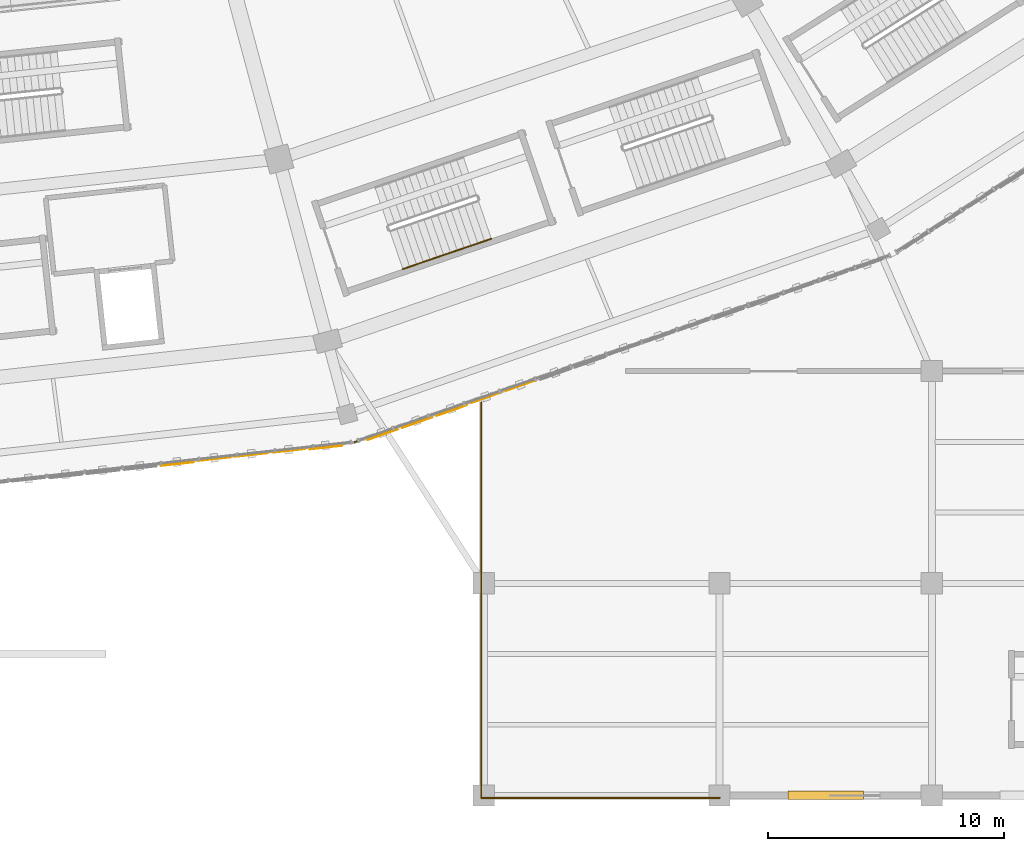
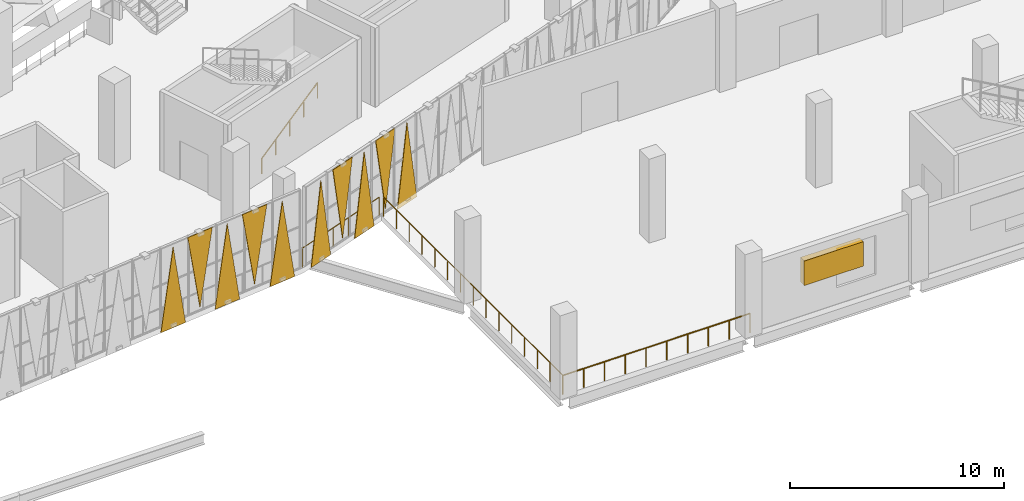
# One storey, part 143 of 183: 10 coverings, 4 railings, 1 shading device.
"""IFC4 building model written with IfcOpenShell, lengths in metres."""

from ifc_helpers import new_model, si_unit, direction, frame, origin, origin_2d, place, context, subcontext, project, spatial, polyline, rectangle, circle, outline, extrude, material, layer, layer_set, type_object, element, save


model = new_model("IFC4")

# Units and contexts
model_context = context("Model", 3, precision=1e-05, world=origin(), true_north=direction((0.0, 1.0)))
body_context = subcontext(model_context, "Body", "Model", "MODEL_VIEW")
ifc_project = project(units=[si_unit("LENGTHUNIT", "METRE"), si_unit("AREAUNIT", "SQUARE_METRE"), si_unit("VOLUMEUNIT", "CUBIC_METRE"), si_unit("PLANEANGLEUNIT", "RADIAN"), si_unit("MASSUNIT", "GRAM", prefix="KILO")], contexts=[model_context])

# Site, building, storey
site_placement = place(None, origin())
site = spatial("IfcSite", under=ifc_project, at=site_placement, CompositionType="ELEMENT")
building_placement = place(site_placement, origin())
building = spatial("IfcBuilding", under=site, at=building_placement, Name="Zevraka Park Crest Stadium", CompositionType="ELEMENT")
storey_placement = place(building_placement, frame((0.0, 0.0, 5.39990234375)))
storey = spatial("IfcBuildingStorey", under=building, at=storey_placement, Name="L01", CompositionType="ELEMENT", Elevation=5.39990234375)

# Coverings
ifc_material_1 = material(Name="Architectural golden-bronze perforated aluminium", Category="aluminium")
ifc_layer_1 = layer(ifc_material_1, 0.034912109375)
ifc_layer_set_1 = layer_set([ifc_layer_1], Name="Architectural golden-bronze perforated aluminium")
covering_type = type_object("IfcCoveringType", Name="CLD01", PredefinedType="CLADDING", material=ifc_layer_set_1)
covering_1_placement = place(storey_placement, frame((128.2880859375, 14.0048828125, -0.260009765625), z_axis=(-0.110281163702, 0.993900425664, 9.3792513e-05), x_axis=(0.993900430036, 0.110281164187, 0.0)))
element("IfcCovering", 1, at=covering_1_placement, inside=storey, type_object=covering_type, Name="Triangular Golden-Bronze Perforated Cladding L01-18-11", PredefinedType="CLADDING", context=body_context, shape_type="SweptSolid", body=[
    extrude(outline(polyline([(0.0, 0.0), (1.42568827286739, -3.3881317890172014e-21), (0.7123049852646407, -4.600097676483612), (0.0, 0.0)])), origin(), (0.0, 0.0, -1.0), 0.034912109375),
])
covering_2_placement = place(storey_placement, frame((131.281005859375, 14.3369140625, 4.5), z_axis=(0.110111997724, -0.993919183185, 7.2484585e-05), x_axis=(-0.993919185796, -0.110111998013, 0.0)))
element("IfcCovering", 2, at=covering_2_placement, inside=storey, type_object=covering_type, Name="Triangular Golden-Bronze Perforated Cladding L01-18-12", PredefinedType="CLADDING", context=body_context, shape_type="SweptSolid", body=[
    extrude(outline(polyline([(0.0, 0.0), (1.4256613694050126, -1.6940658945086007e-21), (0.7133563210229682, 4.279785167493028), (0.0, 0.0)])), origin(), (0.0, 0.0, -1.0), 0.034912109375),
])
covering_3_placement = place(storey_placement, frame((131.43994140625, 14.35400390625, -0.260009765625), z_axis=(0.110111996878, -0.993919175554, 0.000143563419), x_axis=(0.993919185796, 0.110111998013, 0.0)))
element("IfcCovering", 3, at=covering_3_placement, inside=storey, type_object=covering_type, Name="Triangular Golden-Bronze Perforated Cladding L01-18-13", PredefinedType="CLADDING", context=body_context, shape_type="SweptSolid", body=[
    extrude(outline(polyline([(0.0, 0.0), (1.4256613694050126, -3.3881317890172014e-21), (0.712412579630104, 4.600097703655054), (0.0, 0.0)])), origin(), (0.0, 0.0, -1.0), 0.034912109375),
])
covering_4_placement = place(storey_placement, frame((134.43310546875, 14.68603515625, 4.5), z_axis=(0.110111996702, -0.993919173963, 0.000154308153), x_axis=(-0.993919185796, -0.110111998013, 0.0)))
element("IfcCovering", 4, at=covering_4_placement, inside=storey, type_object=covering_type, Name="Triangular Golden-Bronze Perforated Cladding L01-18-14", PredefinedType="CLADDING", context=body_context, shape_type="SweptSolid", body=[
    extrude(outline(polyline([(0.0, 0.0), (1.4256613694050126, -3.3881317890172014e-21), (0.712412579630104, 4.279785207202997), (0.0, 0.0)])), origin(), (0.0, 0.0, -1.0), 0.034912109375),
])
covering_5_placement = place(storey_placement, frame((134.592041015625, 14.7041015625, -0.260009765625), z_axis=(-0.110111996878, 0.993919175554, 0.000143563419), x_axis=(0.993919185796, 0.110111998013, 0.0)))
element("IfcCovering", 5, at=covering_5_placement, inside=storey, type_object=covering_type, Name="Triangular Golden-Bronze Perforated Cladding L01-18-15", PredefinedType="CLADDING", context=body_context, shape_type="SweptSolid", body=[
    extrude(outline(polyline([(0.0, 0.0), (1.4256613694050126, -3.3881317890172014e-21), (0.7132487897749087, -4.600097703655054), (0.0, 0.0)])), origin(), (0.0, 0.0, -1.0), 0.034912109375),
])
covering_6_placement = place(storey_placement, frame((137.035888671875, 15.093017578125, -0.260009765625), z_axis=(-0.329687784051, 0.944090018554, 4.3743735e-05), x_axis=(0.944090019458, 0.329687784367, 0.0)))
element("IfcCovering", 6, at=covering_6_placement, inside=storey, type_object=covering_type, Name="Triangular Golden-Bronze Perforated Cladding L01-19-1", PredefinedType="CLADDING", context=body_context, shape_type="SweptSolid", body=[
    extrude(outline(polyline([(0.0, 0.0), (1.395140976738379, -3.3881317890172014e-21), (0.698146715187706, -4.600097660651176), (0.0, 0.0)])), origin(), (0.0, 0.0, -1.0), 0.034912109375),
])
covering_7_placement = place(storey_placement, frame((139.821044921875, 16.06396484375, 4.5), z_axis=(-0.329063674373, 0.94430772513, 0.000135893381), x_axis=(-0.94430773385, -0.329063677412, 0.0)))
element("IfcCovering", 7, at=covering_7_placement, inside=storey, type_object=covering_type, Name="Triangular Golden-Bronze Perforated Cladding L01-19-2", PredefinedType="CLADDING", context=body_context, shape_type="SweptSolid", body=[
    extrude(outline(polyline([(0.0, 0.0), (1.3948193207160489, -1.3552527156068805e-20), (0.6975948005547897, -4.2797851957674204), (0.0, 0.0)])), origin(), (0.0, 0.0, -1.0), 0.034912109375),
])
covering_8_placement = place(storey_placement, frame((139.971923828125, 16.116943359375, -0.260009765625), z_axis=(-0.329281369478, 0.944231841946, 9.1488324e-05), x_axis=(0.944231845897, 0.329281370856, 0.0)))
element("IfcCovering", 8, at=covering_8_placement, inside=storey, type_object=covering_type, Name="Triangular Golden-Bronze Perforated Cladding L01-19-3", PredefinedType="CLADDING", context=body_context, shape_type="SweptSolid", body=[
    extrude(outline(polyline([(0.0, 0.0), (1.3938971822371224, 0.0), (0.6966725465226966, -4.60009767550167), (0.0, 0.0)])), origin(), (0.0, 0.0, -1.0), 0.034912109375),
])
covering_9_placement = place(storey_placement, frame((142.756103515625, 17.087890625, 4.5), z_axis=(0.329063674373, -0.94430772513, 0.000135893381), x_axis=(-0.94430773385, -0.329063677412, 0.0)))
element("IfcCovering", 9, at=covering_9_placement, inside=storey, type_object=covering_type, Name="Triangular Golden-Bronze Perforated Cladding L01-19-4", PredefinedType="CLADDING", context=body_context, shape_type="SweptSolid", body=[
    extrude(outline(polyline([(0.0, 0.0), (1.3948193207160489, -1.3552527156068805e-20), (0.6972245201612591, 4.2797851957674204), (0.0, 0.0)])), origin(), (0.0, 0.0, -1.0), 0.034912109375),
])
covering_10_placement = place(storey_placement, frame((142.906982421875, 17.139892578125, -0.260009765625), z_axis=(0.329491998785, -0.944158359092, 0.000125273108), x_axis=(0.9441583665, 0.329492001371, 0.0)))
element("IfcCovering", 10, at=covering_10_placement, inside=storey, type_object=covering_type, Name="Triangular Golden-Bronze Perforated Cladding L01-19-5", PredefinedType="CLADDING", context=body_context, shape_type="SweptSolid", body=[
    extrude(outline(polyline([(0.0, 0.0), (1.3937470825233202, 6.776263578034403e-21), (0.6970746472195279, 4.600097692345475), (0.0, 0.0)])), origin(), (0.0, 0.0, -1.0), 0.034912109375),
])

# Railings
ifc_material_2 = material(Name="Galvanised and bronze-finished steel balustrade", Category="steel")
railing_type_1 = type_object("IfcRailingType", Name="GR01", PredefinedType="GUARDRAIL", material=ifc_material_2)
railing_1_placement = place(storey_placement, frame((152.009033203125, -0.10498046875, 0.0)))
element("IfcRailing", 11, at=railing_1_placement, inside=storey, type_object=railing_type_1, Name="Deck Edge Protection Guardrail GR01 L01-30", PredefinedType="GUARDRAIL", context=body_context, shape_type="SweptSolid", body=[
    extrude(circle(Radius=0.02392578125, at=origin_2d()), frame((0.0, 0.0, 1.076171875), z_axis=(-1.0, 0.0, 0.0), x_axis=(0.0, -1.0, 0.0)), (0.0, 0.0, 1.0), 10.114013671875),
    extrude(circle(Radius=0.02099609375, at=origin_2d()), origin(), (0.0, 0.0, 1.0), 1.052001953125),
    extrude(circle(Radius=0.02099609375, at=origin_2d()), frame((-1.123779296875, 0.0, 0.0)), (0.0, 0.0, 1.0), 1.052001953125),
    extrude(circle(Radius=0.02099609375, at=origin_2d()), frame((-2.24755859375, 0.0, 0.0)), (0.0, 0.0, 1.0), 1.052001953125),
    extrude(circle(Radius=0.02099609375, at=origin_2d()), frame((-3.371337890625, 0.0, 0.0)), (0.0, 0.0, 1.0), 1.052001953125),
    extrude(circle(Radius=0.02099609375, at=origin_2d()), frame((-4.4951171875, 0.0, 0.0)), (0.0, 0.0, 1.0), 1.052001953125),
    extrude(circle(Radius=0.02099609375, at=origin_2d()), frame((-5.618896484375, 0.0, 0.0)), (0.0, 0.0, 1.0), 1.052001953125),
    extrude(circle(Radius=0.02099609375, at=origin_2d()), frame((-6.74267578125, 0.0, 0.0)), (0.0, 0.0, 1.0), 1.052001953125),
    extrude(circle(Radius=0.02099609375, at=origin_2d()), frame((-7.866455078125, 0.0, 0.0)), (0.0, 0.0, 1.0), 1.052001953125),
    extrude(circle(Radius=0.02099609375, at=origin_2d()), frame((-8.990234375, 0.0, 0.0)), (0.0, 0.0, 1.0), 1.052001953125),
    extrude(circle(Radius=0.02099609375, at=origin_2d()), frame((-10.114013671875, 0.0, 0.0)), (0.0, 0.0, 1.0), 1.052001953125),
])
railing_2_placement = place(storey_placement, frame((141.89501953125, -0.10498046875, 0.0)))
element("IfcRailing", 12, at=railing_2_placement, inside=storey, type_object=railing_type_1, Name="Deck Edge Protection Guardrail GR01 L01-31", PredefinedType="GUARDRAIL", context=body_context, shape_type="SweptSolid", body=[
    extrude(circle(Radius=0.02392578125, at=origin_2d()), frame((0.0, 0.0, 1.076171875), z_axis=(0.0, 1.0, 0.0), x_axis=(-1.0, 0.0, 0.0)), (0.0, 0.0, 1.0), 16.783935546875),
    extrude(circle(Radius=0.02099609375, at=origin_2d()), origin(), (0.0, 0.0, 1.0), 1.052001953125),
    extrude(circle(Radius=0.02099609375, at=origin_2d()), frame((0.0, 1.19873046875, 0.0)), (0.0, 0.0, 1.0), 1.052001953125),
    extrude(circle(Radius=0.02099609375, at=origin_2d()), frame((0.0, 2.397705078125, 0.0)), (0.0, 0.0, 1.0), 1.052001953125),
    extrude(circle(Radius=0.02099609375, at=origin_2d()), frame((0.0, 3.5966796875, 0.0)), (0.0, 0.0, 1.0), 1.052001953125),
    extrude(circle(Radius=0.02099609375, at=origin_2d()), frame((0.0, 4.79541015625, 0.0)), (0.0, 0.0, 1.0), 1.052001953125),
    extrude(circle(Radius=0.02099609375, at=origin_2d()), frame((0.0, 5.994140625, 0.0)), (0.0, 0.0, 1.0), 1.052001953125),
    extrude(circle(Radius=0.02099609375, at=origin_2d()), frame((0.0, 7.193115234375, 0.0)), (0.0, 0.0, 1.0), 1.052001953125),
    extrude(circle(Radius=0.02099609375, at=origin_2d()), frame((0.0, 8.39208984375, 0.0)), (0.0, 0.0, 1.0), 1.052001953125),
    extrude(circle(Radius=0.02099609375, at=origin_2d()), frame((0.0, 9.5908203125, 0.0)), (0.0, 0.0, 1.0), 1.052001953125),
    extrude(circle(Radius=0.02099609375, at=origin_2d()), frame((0.0, 10.78955078125, 0.0)), (0.0, 0.0, 1.0), 1.052001953125),
    extrude(circle(Radius=0.02099609375, at=origin_2d()), frame((0.0, 11.988525390625, 0.0)), (0.0, 0.0, 1.0), 1.052001953125),
    extrude(circle(Radius=0.02099609375, at=origin_2d()), frame((0.0, 13.1875, 0.0)), (0.0, 0.0, 1.0), 1.052001953125),
    extrude(circle(Radius=0.02099609375, at=origin_2d()), frame((0.0, 14.38623046875, 0.0)), (0.0, 0.0, 1.0), 1.052001953125),
    extrude(circle(Radius=0.02099609375, at=origin_2d()), frame((0.0, 15.5849609375, 0.0)), (0.0, 0.0, 1.0), 1.052001953125),
    extrude(circle(Radius=0.02099609375, at=origin_2d()), frame((0.0, 16.783935546875, 0.0)), (0.0, 0.0, 1.0), 1.052001953125),
])
railing_3_placement = place(storey_placement, frame((141.721923828125, 16.801025390625, 0.0)))
element("IfcRailing", 13, at=railing_3_placement, inside=storey, type_object=railing_type_1, Name="Deck Edge Protection Guardrail GR01 L01-32", PredefinedType="GUARDRAIL", context=body_context, shape_type="SweptSolid", body=[
    extrude(circle(Radius=0.02392578125, at=origin_2d()), frame((0.0, 0.0, 1.076171875), z_axis=(-0.944292136283, -0.329108434037, 0.0), x_axis=(0.329108434037, -0.944292136283, 0.0)), (0.0, 0.0, 1.0), 5.5087890625),
    extrude(circle(Radius=0.02099609375, at=origin_2d()), origin(), (0.0, 0.0, 1.0), 1.052001953125),
    extrude(circle(Radius=0.02099609375, at=origin_2d()), frame((-1.040283203125, -0.362548828125, 0.0)), (0.0, 0.0, 1.0), 1.052001953125),
    extrude(circle(Radius=0.02099609375, at=origin_2d()), frame((-2.080810546875, -0.72509765625, 0.0)), (0.0, 0.0, 1.0), 1.052001953125),
    extrude(circle(Radius=0.02099609375, at=origin_2d()), frame((-3.12109375, -1.087890625, 0.0)), (0.0, 0.0, 1.0), 1.052001953125),
    extrude(circle(Radius=0.02099609375, at=origin_2d()), frame((-4.16162109375, -1.450439453125, 0.0)), (0.0, 0.0, 1.0), 1.052001953125),
    extrude(circle(Radius=0.02099609375, at=origin_2d()), frame((-5.201904296875, -1.81298828125, 0.0)), (0.0, 0.0, 1.0), 1.052001953125),
])
ifc_material_3 = material(Name="Brushed stainless steel continuous handrail", Category="steel")
railing_type_2 = type_object("IfcRailingType", Name="HR01", PredefinedType="HANDRAIL", material=ifc_material_3)
railing_4_placement = place(storey_placement, frame((138.56689453125, 22.328125, 0.171630859375)))
element("IfcRailing", 14, at=railing_4_placement, inside=storey, type_object=railing_type_2, Name="L01 ST20 stair handrail 1", PredefinedType="HANDRAIL", context=body_context, shape_type="SweptSolid", body=[
    extrude(circle(Radius=0.02392578125, at=origin_2d()), frame((0.0, 0.0, 0.8759765625), z_axis=(0.824726794133, 0.282441418206, 0.489951589772), x_axis=(-0.32399372979, 0.946059228091, 0.0)), (0.0, 0.0, 1.0), 4.54833984375),
    extrude(circle(Radius=0.02099609375, at=origin_2d()), origin(), (0.0, 0.0, 1.0), 0.851806640625),
    extrude(circle(Radius=0.02099609375, at=origin_2d()), frame((0.937744140625, 0.3212890625, 0.55712890625)), (0.0, 0.0, 1.0), 0.851806640625),
    extrude(circle(Radius=0.02099609375, at=origin_2d()), frame((1.87548828125, 0.642333984375, 1.1142578125)), (0.0, 0.0, 1.0), 0.851806640625),
    extrude(circle(Radius=0.02099609375, at=origin_2d()), frame((2.8134765625, 0.96337890625, 1.67138671875)), (0.0, 0.0, 1.0), 0.851806640625),
    extrude(circle(Radius=0.02099609375, at=origin_2d()), frame((3.751220703125, 1.28466796875, 2.228515625)), (0.0, 0.0, 1.0), 0.851806640625),
])

# Shading device
ifc_material_4 = material(Name="Terracotta and bronze acoustic ventilation louvre", Category="masonry")
ifc_layer_2 = layer(ifc_material_4, 0.080078125)
ifc_layer_set_2 = layer_set([ifc_layer_2], Name="Terracotta and bronze acoustic ventilation louvre")
shading_device_type = type_object("IfcShadingDeviceType", Name="LVR01", PredefinedType="USERDEFINED", material=ifc_layer_set_2)
shading_device_placement = place(storey_placement, frame((156.5, 0.0, 1.7001953125), z_axis=(0.0, 0.0, 1.0), x_axis=(-1.0, 0.0, 0.0)))
element("IfcShadingDevice", 15, at=shading_device_placement, inside=storey, type_object=shading_device_type, Name="Plant Ventilation Louvre LVR01 L01-8", ObjectType="LOUVRE", PredefinedType="USERDEFINED", context=body_context, shape_type="SweptSolid", body=[
    extrude(rectangle(XDim=3.199951171875, YDim=0.360107421875, at=origin_2d()), origin(), (0.0, 0.0, 1.0), 1.39990234375),
])

save(model, "model.ifc")
